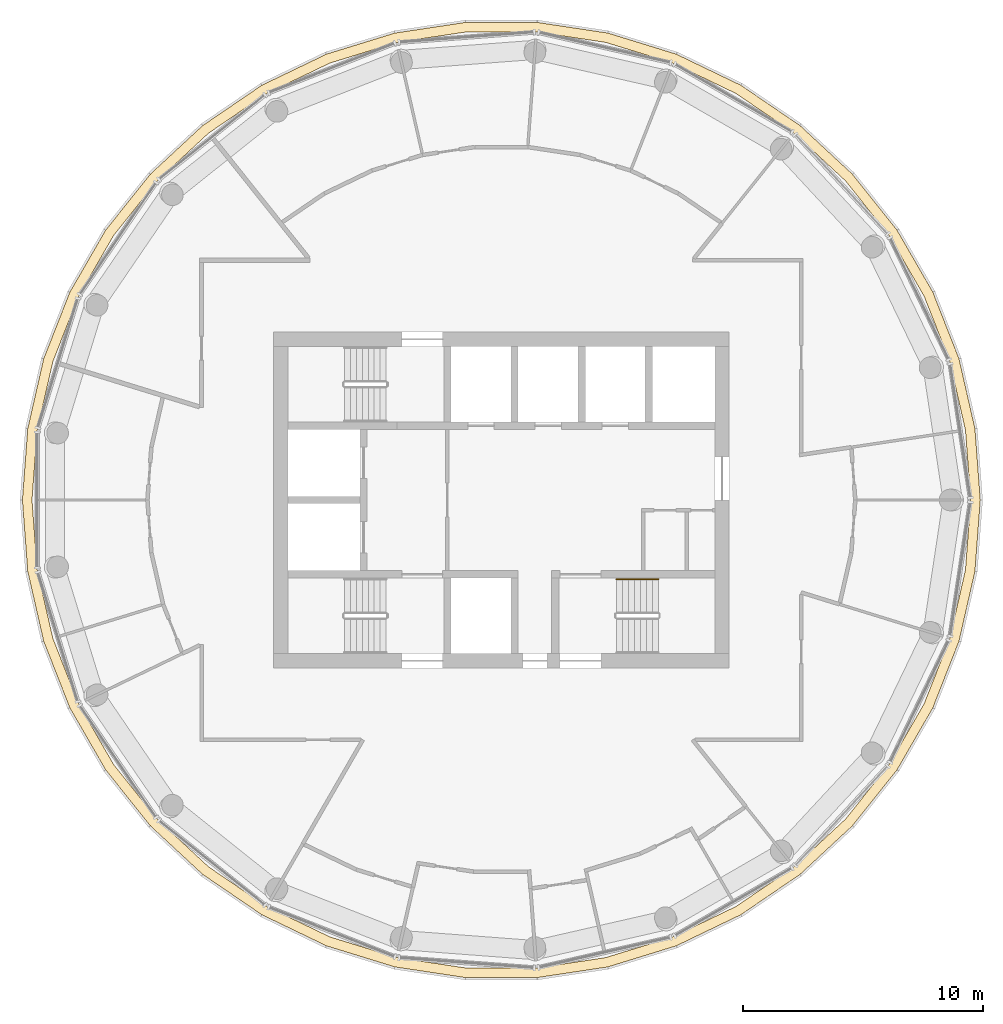
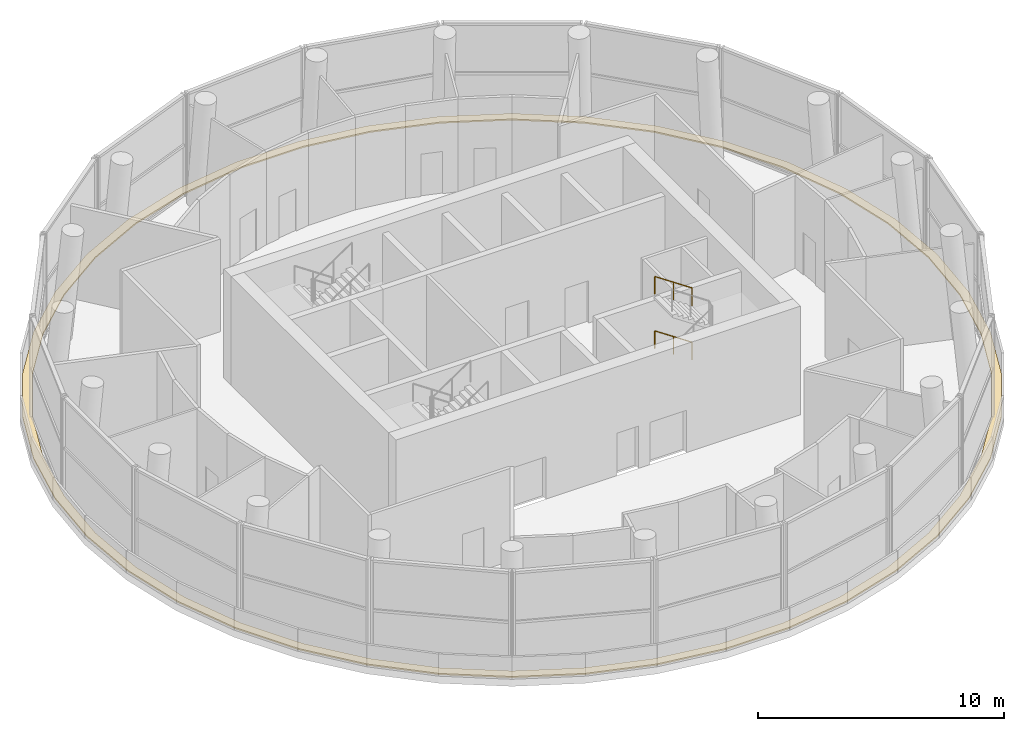
# One storey, part 11 of 11: 2 railings, 1 covering.
"""IFC4 building model written with IfcOpenShell, lengths in metres."""

from ifc_helpers import new_model, si_unit, direction, frame, origin, origin_2d, place, context, subcontext, project, spatial, polyline, circle, outline, extrude, material, layer, layer_set, type_object, element, save


model = new_model("IFC4")

# Units and contexts
model_context = context("Model", 3, precision=1e-05, world=origin(), true_north=direction((0.0, 1.0)))
body_context = subcontext(model_context, "Body", "Model", "MODEL_VIEW")
ifc_project = project(units=[si_unit("LENGTHUNIT", "METRE"), si_unit("AREAUNIT", "SQUARE_METRE"), si_unit("VOLUMEUNIT", "CUBIC_METRE"), si_unit("PLANEANGLEUNIT", "RADIAN"), si_unit("MASSUNIT", "GRAM", prefix="KILO")], contexts=[model_context])

# Site, building, storey
site_placement = place(None, origin())
site = spatial("IfcSite", under=ifc_project, at=site_placement, CompositionType="ELEMENT")
building_placement = place(site_placement, origin())
building = spatial("IfcBuilding", under=site, at=building_placement, Name="Tracery Tower", CompositionType="ELEMENT")
storey_placement = place(building_placement, frame((0.0, 0.0, 330.60009765625)))
storey = spatial("IfcBuildingStorey", under=building, at=storey_placement, Name="L86", CompositionType="ELEMENT", Elevation=330.60009765625)

# Covering
ifc_material_1 = material(Name="Roof membrane on insulation")
ifc_layer = layer(ifc_material_1, 0.070068359375)
ifc_layer_set = layer_set([ifc_layer], Name="Crown ledge roof membrane 70")
covering_type = type_object("IfcCoveringType", Name="Crown ledge roof membrane 70", PredefinedType="ROOFING", material=ifc_layer_set)
covering_placement = place(storey_placement, origin())
element("IfcCovering", 1, at=covering_placement, inside=storey, type_object=covering_type, Name="Ledge roof L86", PredefinedType="ROOFING", context=body_context, shape_type="SweptSolid", body=[
    extrude(outline(polyline([(19.971923828125, 0.0), (19.748779296875, 2.976806640625), (19.084716796875, 5.88671875), (17.994140625, 8.66552734375), (16.501708984375, 11.25048828125), (14.640380859375, 13.58447265625), (12.452392578125, 15.61474609375), (9.986083984375, 17.296142578125), (7.296630859375, 18.59130859375), (4.444091796875, 19.47119140625), (1.492431640625, 19.916015625), (-1.492431640625, 19.916015625), (-4.444091796875, 19.47119140625), (-7.296630859375, 18.59130859375), (-9.986083984375, 17.296142578125), (-12.452392578125, 15.61474609375), (-14.640380859375, 13.58447265625), (-16.501708984375, 11.25048828125), (-17.994140625, 8.66552734375), (-19.084716796875, 5.88671875), (-19.748779296875, 2.976806640625), (-19.971923828125, 0.0), (-19.748779296875, -2.976806640625), (-19.084716796875, -5.88671875), (-17.994140625, -8.66552734375), (-16.501708984375, -11.25048828125), (-14.640380859375, -13.58447265625), (-12.452392578125, -15.61474609375), (-9.986083984375, -17.296142578125), (-7.296630859375, -18.59130859375), (-4.444091796875, -19.47119140625), (-1.492431640625, -19.916015625), (1.492431640625, -19.916015625), (4.444091796875, -19.47119140625), (7.296630859375, -18.59130859375), (9.986083984375, -17.296142578125), (12.452392578125, -15.61474609375), (14.640380859375, -13.58447265625), (16.501708984375, -11.25048828125), (17.994140625, -8.66552734375), (19.084716796875, -5.88671875), (19.748779296875, -2.976806640625), (19.971923828125, 0.0)]), holes=[polyline([(19.572265625, 0.0), (19.353515625, -2.9169921875), (18.70263671875, -5.76904296875), (17.6337890625, -8.4921875), (16.17138671875, -11.025390625), (14.347412109375, -13.3125), (12.203125, -15.30224609375), (9.7861328125, -16.949951171875), (7.150390625, -18.21923828125), (4.355224609375, -19.08154296875), (1.462646484375, -19.517578125), (-1.462646484375, -19.517578125), (-4.355224609375, -19.08154296875), (-7.150390625, -18.21923828125), (-9.7861328125, -16.949951171875), (-12.203125, -15.30224609375), (-14.347412109375, -13.3125), (-16.17138671875, -11.025390625), (-17.6337890625, -8.4921875), (-18.70263671875, -5.76904296875), (-19.353515625, -2.9169921875), (-19.572265625, 0.0), (-19.353515625, 2.9169921875), (-18.70263671875, 5.76904296875), (-17.6337890625, 8.4921875), (-16.17138671875, 11.025390625), (-14.347412109375, 13.3125), (-12.203125, 15.30224609375), (-9.7861328125, 16.949951171875), (-7.150390625, 18.21923828125), (-4.355224609375, 19.08154296875), (-1.462646484375, 19.517578125), (1.462646484375, 19.517578125), (4.355224609375, 19.08154296875), (7.150390625, 18.21923828125), (9.7861328125, 16.949951171875), (12.203125, 15.30224609375), (14.347412109375, 13.3125), (16.17138671875, 11.025390625), (17.6337890625, 8.4921875), (18.70263671875, 5.76904296875), (19.353515625, 2.9169921875), (19.572265625, 0.0)])]), origin(), (0.0, 0.0, 1.0), 0.06982421875),
])

# Railings
ifc_material_2 = material(Name="Stainless steel and laminated glass", Category="steel")
railing_type = type_object("IfcRailingType", Name="Stair handrail 900", PredefinedType="HANDRAIL", material=ifc_material_2)
railing_1_placement = place(storey_placement, frame((6.550048828125, -3.300048828125, 1.5185546875)))
element("IfcRailing", 2, at=railing_1_placement, inside=storey, type_object=railing_type, Name="L86 stair ST2 handrail 2", PredefinedType="HANDRAIL", context=body_context, shape_type="SweptSolid", body=[
    extrude(circle(Radius=0.02392578125, at=origin_2d()), frame((0.0, 0.0, 0.8759765625), z_axis=(-0.828816501605, 0.0, 0.559520514965), x_axis=(0.0, -1.0, 0.0)), (0.0, 0.0, 1.0), 2.111328125),
    extrude(circle(Radius=0.02099609375, at=origin_2d()), origin(), (0.0, 0.0, 1.0), 0.851806640625),
    extrude(circle(Radius=0.02099609375, at=origin_2d()), frame((-0.875, 0.0, 0.5908203125)), (0.0, 0.0, 1.0), 0.851806640625),
    extrude(circle(Radius=0.02099609375, at=origin_2d()), frame((-1.75, 0.0, 1.181396484375)), (0.0, 0.0, 1.0), 0.851806640625),
])
railing_2_placement = place(storey_placement, frame((6.550048828125, -3.300048828125, 4.21875)))
element("IfcRailing", 3, at=railing_2_placement, inside=storey, type_object=railing_type, Name="L86 stair ST2 handrail 4", PredefinedType="HANDRAIL", context=body_context, shape_type="SweptSolid", body=[
    extrude(circle(Radius=0.02392578125, at=origin_2d()), frame((0.0, 0.0, 0.8759765625), z_axis=(-0.828870122254, 0.0, 0.559441078608), x_axis=(0.0, -1.0, 0.0)), (0.0, 0.0, 1.0), 2.111328125),
    extrude(circle(Radius=0.02099609375, at=origin_2d()), origin(), (0.0, 0.0, 1.0), 0.851806640625),
    extrude(circle(Radius=0.02099609375, at=origin_2d()), frame((-0.875, 0.0, 0.590576171875)), (0.0, 0.0, 1.0), 0.851806640625),
    extrude(circle(Radius=0.02099609375, at=origin_2d()), frame((-1.75, 0.0, 1.18115234375)), (0.0, 0.0, 1.0), 0.851806640625),
])

save(model, "model.ifc")
